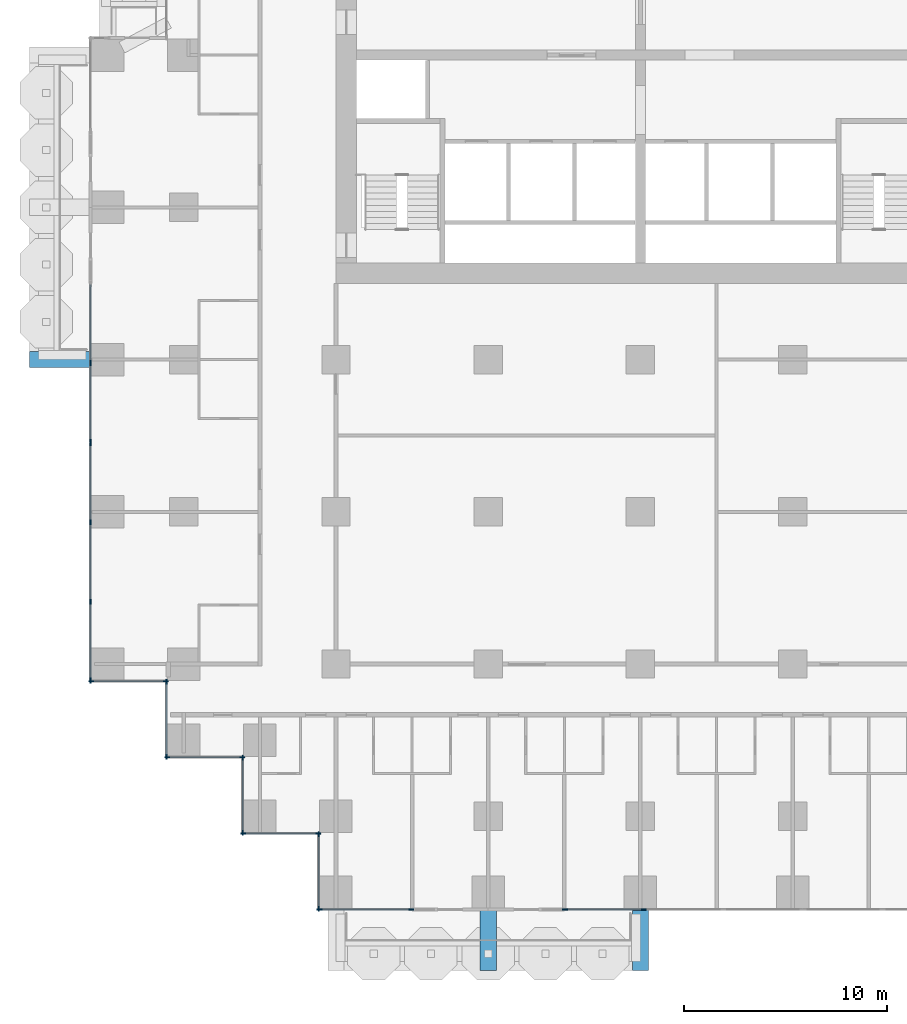
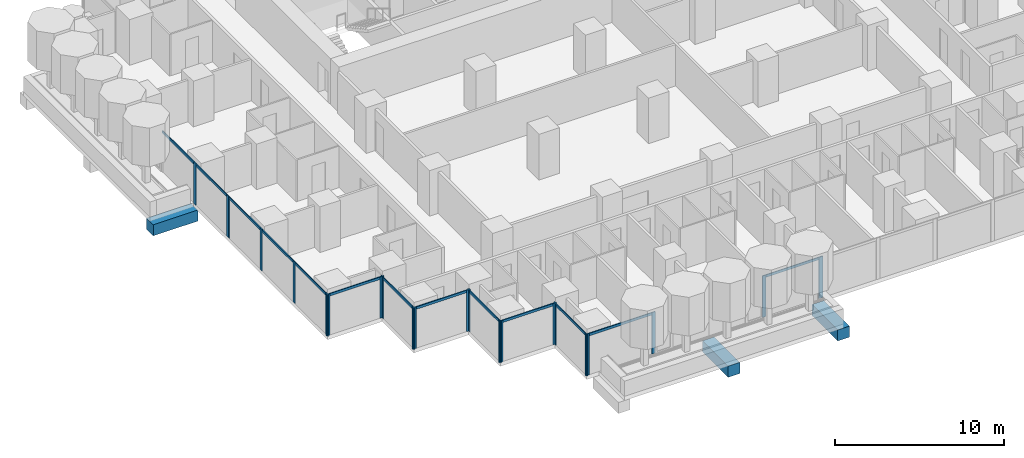
# One storey, part 2 of 17: 35 members, 3 beams, 10 elements without a shape of their own.
"""IFC4 building model written with IfcOpenShell, lengths in metres."""

from ifc_helpers import new_model, si_unit, direction, frame, origin, origin_2d, place, context, subcontext, project, spatial, rectangle, extrude, material, material_profile, profile_set, type_object, element, aggregate, save


model = new_model("IFC4")

# Units and contexts
model_context = context("Model", 3, precision=1e-05, world=origin(), true_north=direction((0.0, 1.0)))
body_context = subcontext(model_context, "Body", "Model", "MODEL_VIEW")
ifc_project = project(units=[si_unit("LENGTHUNIT", "METRE"), si_unit("AREAUNIT", "SQUARE_METRE"), si_unit("VOLUMEUNIT", "CUBIC_METRE"), si_unit("PLANEANGLEUNIT", "RADIAN"), si_unit("MASSUNIT", "GRAM", prefix="KILO")], contexts=[model_context])

# Site, building, storey
site_placement = place(None, origin())
site = spatial("IfcSite", under=ifc_project, at=site_placement, CompositionType="ELEMENT")
building_placement = place(site_placement, origin())
building = spatial("IfcBuilding", under=site, at=building_placement, Name="Pilkhan Gate Tower", CompositionType="ELEMENT")
storey_placement = place(building_placement, frame((0.0, 0.0, 49.39990234375)))
storey = spatial("IfcBuildingStorey", under=building, at=storey_placement, Name="L09", CompositionType="ELEMENT", Elevation=49.39990234375)

# Beams
ifc_material_1 = material(Name="Concrete C50/60", Category="concrete")
ifc_material_profile_1 = material_profile(ifc_material_1, rectangle(XDim=0.800048828125, YDim=0.800048828125, at=origin_2d()), Name="RC 800x800")
ifc_profile_set_1 = profile_set([ifc_material_profile_1], Name="Concrete C50/60")
beam_type = type_object("IfcBeamType", Name="Cantilever beam CB2 RC 800x800 C50/60", PredefinedType="BEAM", material=ifc_profile_set_1)
for number, where, z_axis, x_axis, name in (
    (1, (67.5, 40.449951171875, -0.699951171875), (0.0, -1.0, 0.0), (1.0, 0.0, 0.0), "Balcony beam S.2 L09"),
    (2, (75.0, 40.449951171875, -0.699951171875), (0.0, -1.0, 0.0), (1.0, 0.0, 0.0), "Balcony beam S.3 L09"),
    (3, (47.949951171875, 67.5, -0.699951171875), (-1.0, 0.0, 0.0), (0.0, -1.0, 0.0), "Balcony beam W.1 L09"),
):
    element("IfcBeam", number, at=place(storey_placement, frame(where, z_axis=z_axis, x_axis=x_axis)), inside=storey, type_object=beam_type, Name=name, PredefinedType="BEAM", context=body_context, shape_type="SweptSolid", body=[
        extrude(rectangle(XDim=0.800048828125, YDim=0.800048828125, at=origin_2d()), origin(), (0.0, 0.0, 1.0), 3.050048828125),
    ])

# Curtain wall, members
ifc_material_2 = material(Name="Pale anodised aluminium, clear low-iron double glazing", Category="aluminium")
curtain_wall_type = type_object("IfcCurtainWallType", Name="Hotel unitised curtain wall CW-H", PredefinedType="USERDEFINED", material=ifc_material_2)
curtain_wall_1_placement = place(storey_placement, origin())
curtain_wall_1 = element("IfcCurtainWall", 4, at=curtain_wall_1_placement, inside=storey, type_object=curtain_wall_type, Name="Hotel unitised curtain wall CW-H L09 W", ObjectType="UNITISED CURTAIN WALL", PredefinedType="USERDEFINED")
ifc_material_3 = material(Name="Pale anodised aluminium", Category="aluminium")
ifc_material_profile_2 = material_profile(ifc_material_3, rectangle(XDim=0.06494140625, YDim=0.25, at=origin_2d()), Name="Mullion 250x65")
ifc_profile_set_2 = profile_set([ifc_material_profile_2], Name="Pale anodised aluminium")
member_type_1 = type_object("IfcMemberType", Name="Mullion CW-H 250x65", PredefinedType="MULLION", material=ifc_profile_set_2)
member_1_placement = place(storey_placement, frame((47.905029296875, 51.6875, 0.0), z_axis=(0.0, 0.0, 1.0), x_axis=(-1.0, 0.0, 0.0)))
member_1 = element("IfcMember", 5, at=member_1_placement, type_object=member_type_1, Name="CW-H mullion 1", PredefinedType="MULLION", context=body_context, shape_type="SweptSolid", body=[
    extrude(rectangle(XDim=0.06494140625, YDim=0.25, at=origin_2d()), origin(), (0.0, 0.0, 1.0), 3.0),
])
member_2_placement = place(storey_placement, frame((47.905029296875, 55.573974609375, 0.0), z_axis=(0.0, 0.0, 1.0), x_axis=(-1.0, 0.0, 0.0)))
member_2 = element("IfcMember", 6, at=member_2_placement, type_object=member_type_1, Name="CW-H mullion 2", PredefinedType="MULLION", context=body_context, shape_type="SweptSolid", body=[
    extrude(rectangle(XDim=0.06494140625, YDim=0.25, at=origin_2d()), origin(), (0.0, 0.0, 1.0), 3.0),
])
member_3_placement = place(storey_placement, frame((47.905029296875, 59.492919921875, 0.0), z_axis=(0.0, 0.0, 1.0), x_axis=(-1.0, 0.0, 0.0)))
member_3 = element("IfcMember", 7, at=member_3_placement, type_object=member_type_1, Name="CW-H mullion 3", PredefinedType="MULLION", context=body_context, shape_type="SweptSolid", body=[
    extrude(rectangle(XDim=0.06494140625, YDim=0.25, at=origin_2d()), origin(), (0.0, 0.0, 1.0), 3.0),
])
member_4_placement = place(storey_placement, frame((47.905029296875, 63.37939453125, 0.0), z_axis=(0.0, 0.0, 1.0), x_axis=(-1.0, 0.0, 0.0)))
member_4 = element("IfcMember", 8, at=member_4_placement, type_object=member_type_1, Name="CW-H mullion 4", PredefinedType="MULLION", context=body_context, shape_type="SweptSolid", body=[
    extrude(rectangle(XDim=0.06494140625, YDim=0.25, at=origin_2d()), origin(), (0.0, 0.0, 1.0), 3.0),
])

curtain_wall_2_placement = place(storey_placement, origin())
curtain_wall_2 = element("IfcCurtainWall", 9, at=curtain_wall_2_placement, inside=storey, type_object=curtain_wall_type, Name="Hotel unitised curtain wall CW-H L09 W", ObjectType="UNITISED CURTAIN WALL", PredefinedType="USERDEFINED")
member_5_placement = place(storey_placement, frame((47.905029296875, 63.444580078125, 0.0), z_axis=(0.0, 0.0, 1.0), x_axis=(-1.0, 0.0, 0.0)))
member_5 = element("IfcMember", 10, at=member_5_placement, type_object=member_type_1, Name="CW-H mullion 1", PredefinedType="MULLION", context=body_context, shape_type="SweptSolid", body=[
    extrude(rectangle(XDim=0.06494140625, YDim=0.25, at=origin_2d()), origin(), (0.0, 0.0, 1.0), 3.0),
])
member_6_placement = place(storey_placement, frame((47.905029296875, 67.3310546875, 0.0), z_axis=(0.0, 0.0, 1.0), x_axis=(-1.0, 0.0, 0.0)))
member_6 = element("IfcMember", 11, at=member_6_placement, type_object=member_type_1, Name="CW-H mullion 2", PredefinedType="MULLION", context=body_context, shape_type="SweptSolid", body=[
    extrude(rectangle(XDim=0.06494140625, YDim=0.25, at=origin_2d()), origin(), (0.0, 0.0, 1.0), 3.0),
])

curtain_wall_3_placement = place(storey_placement, origin())
curtain_wall_3 = element("IfcCurtainWall", 12, at=curtain_wall_3_placement, inside=storey, type_object=curtain_wall_type, Name="Hotel unitised curtain wall CW-H L09 S", ObjectType="UNITISED CURTAIN WALL", PredefinedType="USERDEFINED")
member_7_placement = place(storey_placement, frame((47.9375, 51.655029296875, 0.0), z_axis=(0.0, 0.0, 1.0), x_axis=(0.0, 1.0, 0.0)))
member_7 = element("IfcMember", 13, at=member_7_placement, type_object=member_type_1, Name="CW-H mullion 1", PredefinedType="MULLION", context=body_context, shape_type="SweptSolid", body=[
    extrude(rectangle(XDim=0.06494140625, YDim=0.25, at=origin_2d()), origin(), (0.0, 0.0, 1.0), 3.0),
])
member_8_placement = place(storey_placement, frame((51.62255859375, 51.655029296875, 0.0), z_axis=(0.0, 0.0, 1.0), x_axis=(0.0, 1.0, 0.0)))
member_8 = element("IfcMember", 14, at=member_8_placement, type_object=member_type_1, Name="CW-H mullion 2", PredefinedType="MULLION", context=body_context, shape_type="SweptSolid", body=[
    extrude(rectangle(XDim=0.06494140625, YDim=0.25, at=origin_2d()), origin(), (0.0, 0.0, 1.0), 3.0),
])

curtain_wall_4_placement = place(storey_placement, origin())
curtain_wall_4 = element("IfcCurtainWall", 15, at=curtain_wall_4_placement, inside=storey, type_object=curtain_wall_type, Name="Hotel unitised curtain wall CW-H L09 W", ObjectType="UNITISED CURTAIN WALL", PredefinedType="USERDEFINED")
member_9_placement = place(storey_placement, frame((51.655029296875, 47.9375, 0.0), z_axis=(0.0, 0.0, 1.0), x_axis=(-1.0, 0.0, 0.0)))
member_9 = element("IfcMember", 16, at=member_9_placement, type_object=member_type_1, Name="CW-H mullion 1", PredefinedType="MULLION", context=body_context, shape_type="SweptSolid", body=[
    extrude(rectangle(XDim=0.06494140625, YDim=0.25, at=origin_2d()), origin(), (0.0, 0.0, 1.0), 3.0),
])
member_10_placement = place(storey_placement, frame((51.655029296875, 51.62255859375, 0.0), z_axis=(0.0, 0.0, 1.0), x_axis=(-1.0, 0.0, 0.0)))
member_10 = element("IfcMember", 17, at=member_10_placement, type_object=member_type_1, Name="CW-H mullion 2", PredefinedType="MULLION", context=body_context, shape_type="SweptSolid", body=[
    extrude(rectangle(XDim=0.06494140625, YDim=0.25, at=origin_2d()), origin(), (0.0, 0.0, 1.0), 3.0),
])

curtain_wall_5_placement = place(storey_placement, origin())
curtain_wall_5 = element("IfcCurtainWall", 18, at=curtain_wall_5_placement, inside=storey, type_object=curtain_wall_type, Name="Hotel unitised curtain wall CW-H L09 S", ObjectType="UNITISED CURTAIN WALL", PredefinedType="USERDEFINED")
member_11_placement = place(storey_placement, frame((51.6875, 47.905029296875, 0.0), z_axis=(0.0, 0.0, 1.0), x_axis=(0.0, 1.0, 0.0)))
member_11 = element("IfcMember", 19, at=member_11_placement, type_object=member_type_1, Name="CW-H mullion 1", PredefinedType="MULLION", context=body_context, shape_type="SweptSolid", body=[
    extrude(rectangle(XDim=0.06494140625, YDim=0.25, at=origin_2d()), origin(), (0.0, 0.0, 1.0), 3.0),
])
member_12_placement = place(storey_placement, frame((55.37255859375, 47.905029296875, 0.0), z_axis=(0.0, 0.0, 1.0), x_axis=(0.0, 1.0, 0.0)))
member_12 = element("IfcMember", 20, at=member_12_placement, type_object=member_type_1, Name="CW-H mullion 2", PredefinedType="MULLION", context=body_context, shape_type="SweptSolid", body=[
    extrude(rectangle(XDim=0.06494140625, YDim=0.25, at=origin_2d()), origin(), (0.0, 0.0, 1.0), 3.0),
])

curtain_wall_6_placement = place(storey_placement, origin())
curtain_wall_6 = element("IfcCurtainWall", 21, at=curtain_wall_6_placement, inside=storey, type_object=curtain_wall_type, Name="Hotel unitised curtain wall CW-H L09 W", ObjectType="UNITISED CURTAIN WALL", PredefinedType="USERDEFINED")
member_13_placement = place(storey_placement, frame((55.405029296875, 44.1875, 0.0), z_axis=(0.0, 0.0, 1.0), x_axis=(-1.0, 0.0, 0.0)))
member_13 = element("IfcMember", 22, at=member_13_placement, type_object=member_type_1, Name="CW-H mullion 1", PredefinedType="MULLION", context=body_context, shape_type="SweptSolid", body=[
    extrude(rectangle(XDim=0.06494140625, YDim=0.25, at=origin_2d()), origin(), (0.0, 0.0, 1.0), 3.0),
])
member_14_placement = place(storey_placement, frame((55.405029296875, 47.87255859375, 0.0), z_axis=(0.0, 0.0, 1.0), x_axis=(-1.0, 0.0, 0.0)))
member_14 = element("IfcMember", 23, at=member_14_placement, type_object=member_type_1, Name="CW-H mullion 2", PredefinedType="MULLION", context=body_context, shape_type="SweptSolid", body=[
    extrude(rectangle(XDim=0.06494140625, YDim=0.25, at=origin_2d()), origin(), (0.0, 0.0, 1.0), 3.0),
])

curtain_wall_7_placement = place(storey_placement, origin())
curtain_wall_7 = element("IfcCurtainWall", 24, at=curtain_wall_7_placement, inside=storey, type_object=curtain_wall_type, Name="Hotel unitised curtain wall CW-H L09 S", ObjectType="UNITISED CURTAIN WALL", PredefinedType="USERDEFINED")
member_15_placement = place(storey_placement, frame((55.4375, 44.155029296875, 0.0), z_axis=(0.0, 0.0, 1.0), x_axis=(0.0, 1.0, 0.0)))
member_15 = element("IfcMember", 25, at=member_15_placement, type_object=member_type_1, Name="CW-H mullion 1", PredefinedType="MULLION", context=body_context, shape_type="SweptSolid", body=[
    extrude(rectangle(XDim=0.06494140625, YDim=0.25, at=origin_2d()), origin(), (0.0, 0.0, 1.0), 3.0),
])
member_16_placement = place(storey_placement, frame((59.12255859375, 44.155029296875, 0.0), z_axis=(0.0, 0.0, 1.0), x_axis=(0.0, 1.0, 0.0)))
member_16 = element("IfcMember", 26, at=member_16_placement, type_object=member_type_1, Name="CW-H mullion 2", PredefinedType="MULLION", context=body_context, shape_type="SweptSolid", body=[
    extrude(rectangle(XDim=0.06494140625, YDim=0.25, at=origin_2d()), origin(), (0.0, 0.0, 1.0), 3.0),
])

curtain_wall_8_placement = place(storey_placement, origin())
curtain_wall_8 = element("IfcCurtainWall", 27, at=curtain_wall_8_placement, inside=storey, type_object=curtain_wall_type, Name="Hotel unitised curtain wall CW-H L09 W", ObjectType="UNITISED CURTAIN WALL", PredefinedType="USERDEFINED")
member_17_placement = place(storey_placement, frame((59.155029296875, 40.4375, 0.0), z_axis=(0.0, 0.0, 1.0), x_axis=(-1.0, 0.0, 0.0)))
member_17 = element("IfcMember", 28, at=member_17_placement, type_object=member_type_1, Name="CW-H mullion 1", PredefinedType="MULLION", context=body_context, shape_type="SweptSolid", body=[
    extrude(rectangle(XDim=0.06494140625, YDim=0.25, at=origin_2d()), origin(), (0.0, 0.0, 1.0), 3.0),
])
member_18_placement = place(storey_placement, frame((59.155029296875, 44.12255859375, 0.0), z_axis=(0.0, 0.0, 1.0), x_axis=(-1.0, 0.0, 0.0)))
member_18 = element("IfcMember", 29, at=member_18_placement, type_object=member_type_1, Name="CW-H mullion 2", PredefinedType="MULLION", context=body_context, shape_type="SweptSolid", body=[
    extrude(rectangle(XDim=0.06494140625, YDim=0.25, at=origin_2d()), origin(), (0.0, 0.0, 1.0), 3.0),
])

curtain_wall_9_placement = place(storey_placement, origin())
curtain_wall_9 = element("IfcCurtainWall", 30, at=curtain_wall_9_placement, inside=storey, type_object=curtain_wall_type, Name="Hotel unitised curtain wall CW-H L09 S", ObjectType="UNITISED CURTAIN WALL", PredefinedType="USERDEFINED")
member_19_placement = place(storey_placement, frame((59.1875, 40.405029296875, 0.0), z_axis=(0.0, 0.0, 1.0), x_axis=(0.0, 1.0, 0.0)))
member_19 = element("IfcMember", 31, at=member_19_placement, type_object=member_type_1, Name="CW-H mullion 1", PredefinedType="MULLION", context=body_context, shape_type="SweptSolid", body=[
    extrude(rectangle(XDim=0.06494140625, YDim=0.25, at=origin_2d()), origin(), (0.0, 0.0, 1.0), 3.0),
])
member_20_placement = place(storey_placement, frame((63.717529296875, 40.405029296875, 0.0), z_axis=(0.0, 0.0, 1.0), x_axis=(0.0, 1.0, 0.0)))
member_20 = element("IfcMember", 32, at=member_20_placement, type_object=member_type_1, Name="CW-H mullion 2", PredefinedType="MULLION", context=body_context, shape_type="SweptSolid", body=[
    extrude(rectangle(XDim=0.06494140625, YDim=0.25, at=origin_2d()), origin(), (0.0, 0.0, 1.0), 3.0),
])

curtain_wall_10_placement = place(storey_placement, origin())
curtain_wall_10 = element("IfcCurtainWall", 33, at=curtain_wall_10_placement, inside=storey, type_object=curtain_wall_type, Name="Hotel unitised curtain wall CW-H L09 S", ObjectType="UNITISED CURTAIN WALL", PredefinedType="USERDEFINED")
member_21_placement = place(storey_placement, frame((71.282470703125, 40.405029296875, 0.0), z_axis=(0.0, 0.0, 1.0), x_axis=(0.0, 1.0, 0.0)))
member_21 = element("IfcMember", 34, at=member_21_placement, type_object=member_type_1, Name="CW-H mullion 1", PredefinedType="MULLION", context=body_context, shape_type="SweptSolid", body=[
    extrude(rectangle(XDim=0.06494140625, YDim=0.25, at=origin_2d()), origin(), (0.0, 0.0, 1.0), 3.0),
])
member_22_placement = place(storey_placement, frame((75.1689453125, 40.405029296875, 0.0), z_axis=(0.0, 0.0, 1.0), x_axis=(0.0, 1.0, 0.0)))
member_22 = element("IfcMember", 35, at=member_22_placement, type_object=member_type_1, Name="CW-H mullion 2", PredefinedType="MULLION", context=body_context, shape_type="SweptSolid", body=[
    extrude(rectangle(XDim=0.06494140625, YDim=0.25, at=origin_2d()), origin(), (0.0, 0.0, 1.0), 3.0),
])

# Member
ifc_material_profile_3 = material_profile(ifc_material_3, rectangle(XDim=0.06494140625, YDim=0.179931640625, at=origin_2d()), Name="Transom 180x65")
ifc_profile_set_3 = profile_set([ifc_material_profile_3], Name="Pale anodised aluminium")
member_type_2 = type_object("IfcMemberType", Name="Transom CW-H 180x65", PredefinedType="USERDEFINED", material=ifc_profile_set_3)
member_23_placement = place(storey_placement, frame((47.905029296875, 51.719970703125, 2.91015625), z_axis=(0.0, 1.0, 0.0), x_axis=(-1.0, 0.0, 0.0)))
member_23 = element("IfcMember", 36, at=member_23_placement, type_object=member_type_2, Name="CW-H transom 1", ObjectType="TRANSOM", PredefinedType="USERDEFINED", context=body_context, shape_type="SweptSolid", body=[
    extrude(rectangle(XDim=0.06494140625, YDim=0.179931640625, at=origin_2d()), origin(), (0.0, 0.0, 1.0), 3.821533203125),
])

member_24_placement = place(storey_placement, frame((47.905029296875, 55.6064453125, 2.91015625), z_axis=(0.0, 1.0, 0.0), x_axis=(-1.0, 0.0, 0.0)))
member_24 = element("IfcMember", 37, at=member_24_placement, type_object=member_type_2, Name="CW-H transom 2", ObjectType="TRANSOM", PredefinedType="USERDEFINED", context=body_context, shape_type="SweptSolid", body=[
    extrude(rectangle(XDim=0.06494140625, YDim=0.179931640625, at=origin_2d()), origin(), (0.0, 0.0, 1.0), 3.85400390625),
])

member_25_placement = place(storey_placement, frame((47.905029296875, 59.525390625, 2.91015625), z_axis=(0.0, 1.0, 0.0), x_axis=(-1.0, 0.0, 0.0)))
member_25 = element("IfcMember", 38, at=member_25_placement, type_object=member_type_2, Name="CW-H transom 3", ObjectType="TRANSOM", PredefinedType="USERDEFINED", context=body_context, shape_type="SweptSolid", body=[
    extrude(rectangle(XDim=0.06494140625, YDim=0.179931640625, at=origin_2d()), origin(), (0.0, 0.0, 1.0), 3.821533203125),
])

aggregate(curtain_wall_1, [member_1, member_2, member_3, member_4, member_23, member_24, member_25])

member_26_placement = place(storey_placement, frame((47.905029296875, 63.47705078125, 2.91015625), z_axis=(0.0, 1.0, 0.0), x_axis=(-1.0, 0.0, 0.0)))
member_26 = element("IfcMember", 39, at=member_26_placement, type_object=member_type_2, Name="CW-H transom 1", ObjectType="TRANSOM", PredefinedType="USERDEFINED", context=body_context, shape_type="SweptSolid", body=[
    extrude(rectangle(XDim=0.06494140625, YDim=0.179931640625, at=origin_2d()), origin(), (0.0, 0.0, 1.0), 3.821533203125),
])

member_27_placement = place(storey_placement, frame((47.905029296875, 67.363525390625, 2.91015625), z_axis=(0.0, 1.0, 0.0), x_axis=(-1.0, 0.0, 0.0)))
member_27 = element("IfcMember", 40, at=member_27_placement, type_object=member_type_2, Name="CW-H transom 2", ObjectType="TRANSOM", PredefinedType="USERDEFINED", context=body_context, shape_type="SweptSolid", body=[
    extrude(rectangle(XDim=0.06494140625, YDim=0.179931640625, at=origin_2d()), origin(), (0.0, 0.0, 1.0), 3.821533203125),
])

aggregate(curtain_wall_2, [member_5, member_6, member_26, member_27])

member_28_placement = place(storey_placement, frame((47.969970703125, 51.655029296875, 2.91015625), z_axis=(1.0, 0.0, 0.0), x_axis=(0.0, 1.0, 0.0)))
member_28 = element("IfcMember", 41, at=member_28_placement, type_object=member_type_2, Name="CW-H transom 1", ObjectType="TRANSOM", PredefinedType="USERDEFINED", context=body_context, shape_type="SweptSolid", body=[
    extrude(rectangle(XDim=0.06494140625, YDim=0.179931640625, at=origin_2d()), origin(), (0.0, 0.0, 1.0), 3.6201171875),
])

aggregate(curtain_wall_3, [member_7, member_8, member_28])

member_29_placement = place(storey_placement, frame((51.655029296875, 47.969970703125, 2.91015625), z_axis=(0.0, 1.0, 0.0), x_axis=(-1.0, 0.0, 0.0)))
member_29 = element("IfcMember", 42, at=member_29_placement, type_object=member_type_2, Name="CW-H transom 1", ObjectType="TRANSOM", PredefinedType="USERDEFINED", context=body_context, shape_type="SweptSolid", body=[
    extrude(rectangle(XDim=0.06494140625, YDim=0.179931640625, at=origin_2d()), origin(), (0.0, 0.0, 1.0), 3.6201171875),
])

aggregate(curtain_wall_4, [member_9, member_10, member_29])

member_30_placement = place(storey_placement, frame((51.719970703125, 47.905029296875, 2.91015625), z_axis=(1.0, 0.0, 0.0), x_axis=(0.0, 1.0, 0.0)))
member_30 = element("IfcMember", 43, at=member_30_placement, type_object=member_type_2, Name="CW-H transom 1", ObjectType="TRANSOM", PredefinedType="USERDEFINED", context=body_context, shape_type="SweptSolid", body=[
    extrude(rectangle(XDim=0.06494140625, YDim=0.179931640625, at=origin_2d()), origin(), (0.0, 0.0, 1.0), 3.6201171875),
])

aggregate(curtain_wall_5, [member_11, member_12, member_30])

member_31_placement = place(storey_placement, frame((55.405029296875, 44.219970703125, 2.91015625), z_axis=(0.0, 1.0, 0.0), x_axis=(-1.0, 0.0, 0.0)))
member_31 = element("IfcMember", 44, at=member_31_placement, type_object=member_type_2, Name="CW-H transom 1", ObjectType="TRANSOM", PredefinedType="USERDEFINED", context=body_context, shape_type="SweptSolid", body=[
    extrude(rectangle(XDim=0.06494140625, YDim=0.179931640625, at=origin_2d()), origin(), (0.0, 0.0, 1.0), 3.6201171875),
])

aggregate(curtain_wall_6, [member_13, member_14, member_31])

member_32_placement = place(storey_placement, frame((55.469970703125, 44.155029296875, 2.91015625), z_axis=(1.0, 0.0, 0.0), x_axis=(0.0, 1.0, 0.0)))
member_32 = element("IfcMember", 45, at=member_32_placement, type_object=member_type_2, Name="CW-H transom 1", ObjectType="TRANSOM", PredefinedType="USERDEFINED", context=body_context, shape_type="SweptSolid", body=[
    extrude(rectangle(XDim=0.06494140625, YDim=0.179931640625, at=origin_2d()), origin(), (0.0, 0.0, 1.0), 3.6201171875),
])

aggregate(curtain_wall_7, [member_15, member_16, member_32])

member_33_placement = place(storey_placement, frame((59.155029296875, 40.469970703125, 2.91015625), z_axis=(0.0, 1.0, 0.0), x_axis=(-1.0, 0.0, 0.0)))
member_33 = element("IfcMember", 46, at=member_33_placement, type_object=member_type_2, Name="CW-H transom 1", ObjectType="TRANSOM", PredefinedType="USERDEFINED", context=body_context, shape_type="SweptSolid", body=[
    extrude(rectangle(XDim=0.06494140625, YDim=0.179931640625, at=origin_2d()), origin(), (0.0, 0.0, 1.0), 3.6201171875),
])

aggregate(curtain_wall_8, [member_17, member_18, member_33])

member_34_placement = place(storey_placement, frame((59.219970703125, 40.405029296875, 2.91015625), z_axis=(1.0, 0.0, 0.0), x_axis=(0.0, 1.0, 0.0)))
member_34 = element("IfcMember", 47, at=member_34_placement, type_object=member_type_2, Name="CW-H transom 1", ObjectType="TRANSOM", PredefinedType="USERDEFINED", context=body_context, shape_type="SweptSolid", body=[
    extrude(rectangle(XDim=0.06494140625, YDim=0.179931640625, at=origin_2d()), origin(), (0.0, 0.0, 1.0), 4.465087890625),
])

aggregate(curtain_wall_9, [member_19, member_20, member_34])

member_35_placement = place(storey_placement, frame((71.31494140625, 40.405029296875, 2.91015625), z_axis=(1.0, 0.0, 0.0), x_axis=(0.0, 1.0, 0.0)))
member_35 = element("IfcMember", 48, at=member_35_placement, type_object=member_type_2, Name="CW-H transom 1", ObjectType="TRANSOM", PredefinedType="USERDEFINED", context=body_context, shape_type="SweptSolid", body=[
    extrude(rectangle(XDim=0.06494140625, YDim=0.179931640625, at=origin_2d()), origin(), (0.0, 0.0, 1.0), 3.821533203125),
])

aggregate(curtain_wall_10, [member_21, member_22, member_35])

save(model, "model.ifc")
